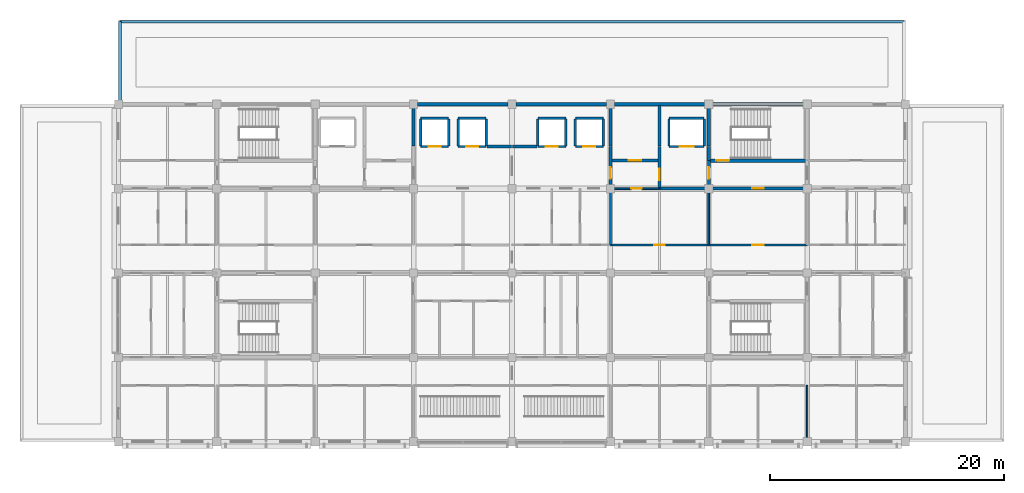
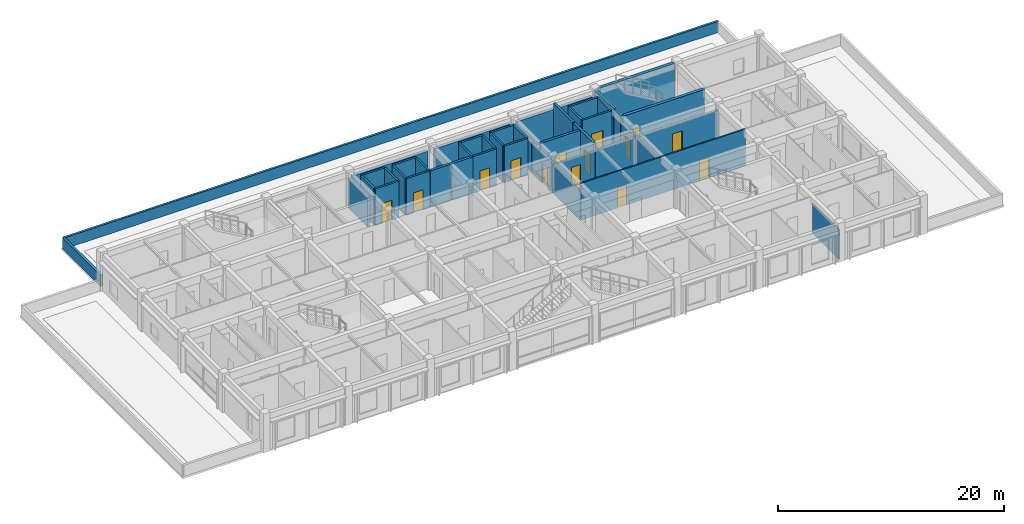
# One storey, part 14 of 19: 44 walls, 14 doors, 14 openings.
"""IFC4 building model written with IfcOpenShell, lengths in metres."""

from ifc_helpers import new_model, si_unit, direction, frame, frame_2d, origin, place, context, subcontext, project, spatial, rectangle, extrude, material, layer, layer_set, type_object, element, fill, save


model = new_model("IFC4")

# Units and contexts
model_context = context("Model", 3, precision=1e-05, world=origin(), true_north=direction((0.0, 1.0)))
body_context = subcontext(model_context, "Body", "Model", "MODEL_VIEW")
ifc_project = project(units=[si_unit("LENGTHUNIT", "METRE"), si_unit("AREAUNIT", "SQUARE_METRE"), si_unit("VOLUMEUNIT", "CUBIC_METRE"), si_unit("PLANEANGLEUNIT", "RADIAN"), si_unit("MASSUNIT", "GRAM", prefix="KILO")], contexts=[model_context])

# Site, building, storey
site_placement = place(None, origin())
site = spatial("IfcSite", under=ifc_project, at=site_placement, CompositionType="ELEMENT")
building_placement = place(site_placement, origin())
building = spatial("IfcBuilding", under=site, at=building_placement, Name="Chengyuan Square Courthouse", CompositionType="ELEMENT")
storey_placement = place(building_placement, frame((0.0, 0.0, 47.699951171875)))
storey = spatial("IfcBuildingStorey", under=building, at=storey_placement, Name="L11", CompositionType="ELEMENT", Elevation=47.699951171875)

# Walls
ifc_material_1 = material(Name="Concrete C40", Category="concrete")
ifc_layer_1 = layer(ifc_material_1, 0.320068359375)
ifc_layer_set_1 = layer_set([ifc_layer_1], Name="Concrete C40")
wall_type_1 = type_object("IfcWallType", Name="WL-EW3", PredefinedType="STANDARD", material=ifc_layer_set_1)
for number, where, z_axis, x_axis, name in (
    (1, (75.945068359375, 108.0, 0.0), (0.0, 0.0, 1.0), (1.0, 0.0, 0.0), "Exterior Wall WL-L11-E455"),
    (2, (84.344970703125, 108.0, 0.0), (0.0, 0.0, 1.0), (1.0, 0.0, 0.0), "Exterior Wall WL-L11-E456"),
    (3, (92.7451171875, 108.0, 0.0), (0.0, 0.0, 1.0), (1.0, 0.0, 0.0), "Exterior Wall WL-L11-E458"),
):
    element("IfcWall", number, at=place(storey_placement, frame(where, z_axis=z_axis, x_axis=x_axis)), inside=storey, type_object=wall_type_1, Name=name, PredefinedType="STANDARD", context=body_context, shape_type="SweptSolid", body=[
        extrude(rectangle(XDim=7.7099609375, YDim=0.320068359375, at=frame_2d((3.85498046875, 0.0))), origin(), (0.0, 0.0, 1.0), 3.31005859375),
    ])

# Wall, opening, door
ifc_layer_2 = layer(ifc_material_1, 0.25)
ifc_layer_set_2 = layer_set([ifc_layer_2], Name="Concrete C40")
wall_type_2 = type_object("IfcWallType", Name="WL-FW1", PredefinedType="STANDARD", material=ifc_layer_set_2)
wall_1_placement = place(storey_placement, frame((96.60009765625, 100.800048828125, 0.0), z_axis=(0.0, 0.0, 1.0), x_axis=(1.0, 0.0, 0.0)))
wall_1 = element("IfcWall", 4, at=wall_1_placement, inside=storey, type_object=wall_type_2, Name="Interior Wall WL-L11-I3541", PredefinedType="STANDARD", context=body_context, shape_type="SweptSolid", body=[
    extrude(rectangle(XDim=12.599853515625, YDim=0.25, at=frame_2d((6.2998046875, 0.0))), origin(), (0.0, 0.0, 1.0), 3.110107421875),
])
opening_1_placement = place(wall_1_placement, frame((7.89990234375, 0.0, 0.0)))
opening_1 = element("IfcOpeningElement", 5, at=opening_1_placement, cuts=wall_1, Name="Opening DR-2918", PredefinedType="OPENING", context=body_context, shape_type="SweptSolid", body=[
    extrude(rectangle(XDim=1.0, YDim=2.199951171875, at=frame_2d((0.5, 1.10009765625))), frame((0.0, 0.136962890625, 0.0), z_axis=(0.0, -1.0, 0.0), x_axis=(1.0, 0.0, 0.0)), (0.0, 0.0, 1.0), 0.27392578125),
])
ifc_material_2 = material(Name="Steel Q235B Fire Door", Category="steel")
door_type_1 = type_object("IfcDoorType", Name="DT-11", OperationType="NOTDEFINED", PredefinedType="DOOR", material=ifc_material_2)
door_1_placement = place(opening_1_placement, origin())
door_1 = element("IfcDoor", 6, at=door_1_placement, inside=storey, type_object=door_type_1, Name="Interior Door DR-2918", OperationType="SINGLE_SWING_LEFT", OverallHeight=2.199951171875, OverallWidth=1.0, PredefinedType="DOOR", context=body_context, shape_type="SweptSolid", body=[
    extrude(rectangle(XDim=1.0, YDim=2.199951171875, at=frame_2d((0.5, 1.10009765625))), frame((0.0, 0.02490234375, 0.0), z_axis=(0.0, -1.0, 0.0), x_axis=(1.0, 0.0, 0.0)), (0.0, 0.0, 1.0), 0.050048828125),
])
fill(opening_1, door_1)

wall_2_placement = place(storey_placement, frame((92.39990234375, 103.199951171875, 0.0), z_axis=(0.0, 0.0, 1.0), x_axis=(1.0, 0.0, 0.0)))
wall_2 = element("IfcWall", 7, at=wall_2_placement, inside=storey, type_object=wall_type_2, Name="Interior Wall WL-L11-I3546", PredefinedType="STANDARD", context=body_context, shape_type="SweptSolid", body=[
    extrude(rectangle(XDim=4.2001953125, YDim=0.25, at=frame_2d((2.10009765625, 0.0))), origin(), (0.0, 0.0, 1.0), 3.9599609375),
])
opening_2_placement = place(wall_2_placement, frame((1.550048828125, 0.0, 0.0)))
opening_2 = element("IfcOpeningElement", 8, at=opening_2_placement, cuts=wall_2, Name="Opening DR-2929", PredefinedType="OPENING", context=body_context, shape_type="SweptSolid", body=[
    extrude(rectangle(XDim=1.10009765625, YDim=2.199951171875, at=frame_2d((0.550048828125, 1.10009765625))), frame((0.0, 0.136962890625, 0.0), z_axis=(0.0, -1.0, 0.0), x_axis=(1.0, 0.0, 0.0)), (0.0, 0.0, 1.0), 0.27392578125),
])
door_type_2 = type_object("IfcDoorType", Name="DT-10", OperationType="NOTDEFINED", PredefinedType="DOOR", material=ifc_material_2)
door_2_placement = place(opening_2_placement, origin())
door_2 = element("IfcDoor", 9, at=door_2_placement, inside=storey, type_object=door_type_2, Name="Interior Door DR-2929", OperationType="SINGLE_SWING_RIGHT", OverallHeight=2.199951171875, OverallWidth=1.10009765625, PredefinedType="DOOR", context=body_context, shape_type="SweptSolid", body=[
    extrude(rectangle(XDim=1.10009765625, YDim=2.199951171875, at=frame_2d((0.550048828125, 1.10009765625))), frame((0.0, 0.02490234375, 0.0), z_axis=(0.0, -1.0, 0.0), x_axis=(1.0, 0.0, 0.0)), (0.0, 0.0, 1.0), 0.050048828125),
])
fill(opening_2, door_2)

# Walls
for number, where, z_axis, x_axis, name in (
    (10, (81.85009765625, 104.39990234375, 0.0), (0.0, 0.0, 1.0), (1.0, 0.0, 0.0), "Interior Wall WL-L11-I3552"),
    (11, (84.050048828125, 104.39990234375, 0.0), (0.0, 0.0, 1.0), (1.0, 0.0, 0.0), "Interior Wall WL-L11-I3553"),
):
    element("IfcWall", number, at=place(storey_placement, frame(where, z_axis=z_axis, x_axis=x_axis)), inside=storey, type_object=wall_type_2, Name=name, PredefinedType="STANDARD", context=body_context, shape_type="SweptSolid", body=[
        extrude(rectangle(XDim=2.099853515625, YDim=0.25, at=frame_2d((1.0498046875, 0.0))), origin(), (0.0, 0.0, 1.0), 3.9599609375),
    ])
wall_3_placement = place(storey_placement, frame((75.60009765625, 104.449951171875, 0.0), z_axis=(0.0, 0.0, 1.0), x_axis=(0.0, 1.0, 0.0)))
element("IfcWall", 12, at=wall_3_placement, inside=storey, type_object=wall_type_2, Name="Interior Wall WL-L11-I3592", PredefinedType="STANDARD", context=body_context, shape_type="SweptSolid", body=[
    extrude(rectangle(XDim=3.4599609375, YDim=0.25, at=frame_2d((1.72998046875, 0.0))), origin(), (0.0, 0.0, 1.0), 3.2099609375),
])

# Wall, opening, door
wall_4_placement = place(storey_placement, frame((92.39990234375, 100.800048828125, 0.0), z_axis=(0.0, 0.0, 1.0), x_axis=(0.0, 1.0, 0.0)))
wall_4 = element("IfcWall", 13, at=wall_4_placement, inside=storey, type_object=wall_type_2, Name="Interior Wall WL-L11-I3611", PredefinedType="STANDARD", context=body_context, shape_type="SweptSolid", body=[
    extrude(rectangle(XDim=3.599853515625, YDim=0.25, at=frame_2d((1.7998046875, 0.0))), origin(), (0.0, 0.0, 1.0), 3.2099609375),
])
opening_3_placement = place(wall_4_placement, frame((0.860107421875, 0.0, 0.0)))
opening_3 = element("IfcOpeningElement", 14, at=opening_3_placement, cuts=wall_4, Name="Opening DR-2931", PredefinedType="OPENING", context=body_context, shape_type="SweptSolid", body=[
    extrude(rectangle(XDim=0.949951171875, YDim=2.14990234375, at=frame_2d((0.47509765625, 1.074951171875))), frame((0.0, 0.136962890625, 0.0), z_axis=(0.0, -1.0, 0.0), x_axis=(1.0, 0.0, 0.0)), (0.0, 0.0, 1.0), 0.27392578125),
])
door_type_3 = type_object("IfcDoorType", Name="DT-12", OperationType="NOTDEFINED", PredefinedType="DOOR", material=ifc_material_2)
door_3_placement = place(opening_3_placement, origin())
door_3 = element("IfcDoor", 15, at=door_3_placement, inside=storey, type_object=door_type_3, Name="Interior Door DR-2931", OperationType="SINGLE_SWING_RIGHT", OverallHeight=2.14990234375, OverallWidth=0.949951171875, PredefinedType="DOOR", context=body_context, shape_type="SweptSolid", body=[
    extrude(rectangle(XDim=0.949951171875, YDim=2.14990234375, at=frame_2d((0.47509765625, 1.074951171875))), frame((0.0, 0.02490234375, 0.0), z_axis=(0.0, -1.0, 0.0), x_axis=(1.0, 0.0, 0.0)), (0.0, 0.0, 1.0), 0.050048828125),
])
fill(opening_3, door_3)

# Wall
wall_5_placement = place(storey_placement, frame((92.39990234375, 104.449951171875, 0.0), z_axis=(0.0, 0.0, 1.0), x_axis=(0.0, 1.0, 0.0)))
element("IfcWall", 16, at=wall_5_placement, inside=storey, type_object=wall_type_2, Name="Interior Wall WL-L11-I3612", PredefinedType="STANDARD", context=body_context, shape_type="SweptSolid", body=[
    extrude(rectangle(XDim=3.4599609375, YDim=0.25, at=frame_2d((1.72998046875, 0.0))), origin(), (0.0, 0.0, 1.0), 3.2099609375),
])

# Wall, opening, door
wall_6_placement = place(storey_placement, frame((96.60009765625, 100.800048828125, 0.0), z_axis=(0.0, 0.0, 1.0), x_axis=(0.0, 1.0, 0.0)))
wall_6 = element("IfcWall", 17, at=wall_6_placement, inside=storey, type_object=wall_type_2, Name="Interior Wall WL-L11-I3614", PredefinedType="STANDARD", context=body_context, shape_type="SweptSolid", body=[
    extrude(rectangle(XDim=3.599853515625, YDim=0.25, at=frame_2d((1.7998046875, 0.0))), origin(), (0.0, 0.0, 1.0), 3.9599609375),
])
opening_4_placement = place(wall_6_placement, frame((0.699951171875, 0.0, 0.0)))
opening_4 = element("IfcOpeningElement", 18, at=opening_4_placement, cuts=wall_6, Name="Opening DR-2930", PredefinedType="OPENING", context=body_context, shape_type="SweptSolid", body=[
    extrude(rectangle(XDim=1.0, YDim=2.199951171875, at=frame_2d((0.5, 1.10009765625))), frame((0.0, 0.136962890625, 0.0), z_axis=(0.0, -1.0, 0.0), x_axis=(1.0, 0.0, 0.0)), (0.0, 0.0, 1.0), 0.27392578125),
])
door_4_placement = place(opening_4_placement, origin())
door_4 = element("IfcDoor", 19, at=door_4_placement, inside=storey, type_object=door_type_1, Name="Interior Door DR-2930", OperationType="SINGLE_SWING_LEFT", OverallHeight=2.199951171875, OverallWidth=1.0, PredefinedType="DOOR", context=body_context, shape_type="SweptSolid", body=[
    extrude(rectangle(XDim=1.0, YDim=2.199951171875, at=frame_2d((0.5, 1.10009765625))), frame((0.0, 0.02490234375, 0.0), z_axis=(0.0, -1.0, 0.0), x_axis=(1.0, 0.0, 0.0)), (0.0, 0.0, 1.0), 0.050048828125),
])
fill(opening_4, door_4)

# Wall
wall_7_placement = place(storey_placement, frame((96.60009765625, 104.449951171875, 0.0), z_axis=(0.0, 0.0, 1.0), x_axis=(0.0, 1.0, 0.0)))
element("IfcWall", 20, at=wall_7_placement, inside=storey, type_object=wall_type_2, Name="Interior Wall WL-L11-I3615", PredefinedType="STANDARD", context=body_context, shape_type="SweptSolid", body=[
    extrude(rectangle(XDim=3.4599609375, YDim=0.25, at=frame_2d((1.72998046875, 0.0))), origin(), (0.0, 0.0, 1.0), 3.9599609375),
])

# Wall, opening, door
wall_8_placement = place(storey_placement, frame((100.800048828125, 100.800048828125, 0.0), z_axis=(0.0, 0.0, 1.0), x_axis=(0.0, 1.0, 0.0)))
wall_8 = element("IfcWall", 21, at=wall_8_placement, inside=storey, type_object=wall_type_2, Name="Interior Wall WL-L11-I3622", PredefinedType="STANDARD", context=body_context, shape_type="SweptSolid", body=[
    extrude(rectangle(XDim=2.39990234375, YDim=0.25, at=frame_2d((1.199951171875, 0.0))), origin(), (0.0, 0.0, 1.0), 3.2099609375),
])
opening_5_placement = place(wall_8_placement, frame((0.860107421875, 0.0, 0.0)))
opening_5 = element("IfcOpeningElement", 22, at=opening_5_placement, cuts=wall_8, Name="Opening DR-2916", PredefinedType="OPENING", context=body_context, shape_type="SweptSolid", body=[
    extrude(rectangle(XDim=0.949951171875, YDim=2.14990234375, at=frame_2d((0.47509765625, 1.074951171875))), frame((0.0, 0.136962890625, 0.0), z_axis=(0.0, -1.0, 0.0), x_axis=(1.0, 0.0, 0.0)), (0.0, 0.0, 1.0), 0.27392578125),
])
door_5_placement = place(opening_5_placement, origin())
door_5 = element("IfcDoor", 23, at=door_5_placement, inside=storey, type_object=door_type_3, Name="Interior Door DR-2916", OperationType="SINGLE_SWING_LEFT", OverallHeight=2.14990234375, OverallWidth=0.949951171875, PredefinedType="DOOR", context=body_context, shape_type="SweptSolid", body=[
    extrude(rectangle(XDim=0.949951171875, YDim=2.14990234375, at=frame_2d((0.47509765625, 1.074951171875))), frame((0.0, 0.02490234375, 0.0), z_axis=(0.0, -1.0, 0.0), x_axis=(1.0, 0.0, 0.0)), (0.0, 0.0, 1.0), 0.050048828125),
])
fill(opening_5, door_5)

# Walls
ifc_layer_3 = layer(ifc_material_1, 0.219970703125)
ifc_layer_set_3 = layer_set([ifc_layer_3], Name="Concrete C40")
wall_type_3 = type_object("IfcWallType", Name="WL-PR1", PredefinedType="PARAPET", material=ifc_layer_set_3)
wall_9_placement = place(storey_placement, frame((117.4599609375, 115.06005859375, 0.0), z_axis=(0.0, 0.0, 1.0), x_axis=(-1.0, 0.0, 0.0)))
element("IfcWall", 24, at=wall_9_placement, inside=storey, type_object=wall_type_3, Name="Roof Parapet Wall PAR-L11-035", PredefinedType="PARAPET", context=body_context, shape_type="SweptSolid", body=[
    extrude(rectangle(XDim=66.919921875, YDim=0.219970703125, at=frame_2d((33.4599609375, 0.0))), origin(), (0.0, 0.0, 1.0), 1.199951171875),
])
ifc_layer_4 = layer(ifc_material_1, 0.239990234375)
ifc_layer_set_4 = layer_set([ifc_layer_4], Name="Concrete C40")
wall_type_4 = type_object("IfcWallType", Name="WL-PR2", PredefinedType="PARAPET", material=ifc_layer_set_4)
wall_10_placement = place(storey_placement, frame((50.5400390625, 115.06005859375, 0.0), z_axis=(0.0, 0.0, 1.0), x_axis=(0.0, -1.0, 0.0)))
element("IfcWall", 25, at=wall_10_placement, inside=storey, type_object=wall_type_4, Name="Roof Parapet Wall PAR-L11-036", PredefinedType="PARAPET", context=body_context, shape_type="SweptSolid", body=[
    extrude(rectangle(XDim=6.760009765625, YDim=0.239990234375, at=frame_2d((3.3798828125, 0.0))), origin(), (0.0, 0.0, 1.0), 1.199951171875),
])

# Wall, openings, doors
ifc_material_3 = material(Name="Deliberation Room Sound-Insulated Partition")
ifc_layer_5 = layer(ifc_material_3, 0.14990234375)
ifc_layer_set_5 = layer_set([ifc_layer_5], Name="Deliberation Room Sound-Insulated Partition")
wall_type_5 = type_object("IfcWallType", Name="WL-PT3", PredefinedType="STANDARD", material=ifc_layer_set_5)
wall_11_placement = place(storey_placement, frame((92.39990234375, 96.0, 0.0), z_axis=(0.0, 0.0, 1.0), x_axis=(1.0, 0.0, 0.0)))
wall_11 = element("IfcWall", 26, at=wall_11_placement, inside=storey, type_object=wall_type_5, Name="Interior Wall WL-L11-I3534", PredefinedType="STANDARD", context=body_context, shape_type="SweptSolid", body=[
    extrude(rectangle(XDim=16.800048828125, YDim=0.14990234375, at=frame_2d((8.39990234375, 0.0))), origin(), (0.0, 0.0, 1.0), 3.9599609375),
])
opening_6_placement = place(wall_11_placement, frame((3.739990234375, 0.0, 0.0)))
opening_6 = element("IfcOpeningElement", 27, at=opening_6_placement, cuts=wall_11, Name="Opening DR-2966", PredefinedType="OPENING", context=body_context, shape_type="SweptSolid", body=[
    extrude(rectangle(XDim=0.919921875, YDim=2.14990234375, at=frame_2d((0.4599609375, 1.074951171875))), frame((0.0, 0.0869140625, 0.0), z_axis=(0.0, -1.0, 0.0), x_axis=(1.0, 0.0, 0.0)), (0.0, 0.0, 1.0), 0.173828125),
])
opening_7_placement = place(wall_11_placement, frame((12.1201171875, 0.0, 0.0)))
opening_7 = element("IfcOpeningElement", 28, at=opening_7_placement, cuts=wall_11, Name="Opening DR-2967", PredefinedType="OPENING", context=body_context, shape_type="SweptSolid", body=[
    extrude(rectangle(XDim=0.9599609375, YDim=2.199951171875, at=frame_2d((0.47998046875, 1.10009765625))), frame((0.0, 0.0869140625, 0.0), z_axis=(0.0, -1.0, 0.0), x_axis=(1.0, 0.0, 0.0)), (0.0, 0.0, 1.0), 0.173828125),
])
ifc_material_4 = material(Name="Acoustic Solid-Core Timber Door", Category="wood")
door_type_4 = type_object("IfcDoorType", Name="DT-29", OperationType="NOTDEFINED", PredefinedType="DOOR", material=ifc_material_4)
door_6_placement = place(opening_6_placement, origin())
door_6 = element("IfcDoor", 29, at=door_6_placement, inside=storey, type_object=door_type_4, Name="Interior Door DR-2966", OperationType="SINGLE_SWING_LEFT", OverallHeight=2.14990234375, OverallWidth=0.919921875, PredefinedType="DOOR", context=body_context, shape_type="SweptSolid", body=[
    extrude(rectangle(XDim=0.919921875, YDim=2.14990234375, at=frame_2d((0.4599609375, 1.074951171875))), frame((0.0, 0.02490234375, 0.0), z_axis=(0.0, -1.0, 0.0), x_axis=(1.0, 0.0, 0.0)), (0.0, 0.0, 1.0), 0.050048828125),
])
fill(opening_6, door_6)
door_type_5 = type_object("IfcDoorType", Name="DT-30", OperationType="NOTDEFINED", PredefinedType="DOOR", material=ifc_material_4)
door_7_placement = place(opening_7_placement, origin())
door_7 = element("IfcDoor", 30, at=door_7_placement, inside=storey, type_object=door_type_5, Name="Interior Door DR-2967", OperationType="SINGLE_SWING_RIGHT", OverallHeight=2.199951171875, OverallWidth=0.9599609375, PredefinedType="DOOR", context=body_context, shape_type="SweptSolid", body=[
    extrude(rectangle(XDim=0.9599609375, YDim=2.199951171875, at=frame_2d((0.47998046875, 1.10009765625))), frame((0.0, 0.02490234375, 0.0), z_axis=(0.0, -1.0, 0.0), x_axis=(1.0, 0.0, 0.0)), (0.0, 0.0, 1.0), 0.050048828125),
])
fill(opening_7, door_7)

# Wall, opening, door
wall_12_placement = place(storey_placement, frame((92.39990234375, 100.800048828125, 0.0), z_axis=(0.0, 0.0, 1.0), x_axis=(1.0, 0.0, 0.0)))
wall_12 = element("IfcWall", 31, at=wall_12_placement, inside=storey, type_object=wall_type_5, Name="Interior Wall WL-L11-I3540", PredefinedType="STANDARD", context=body_context, shape_type="SweptSolid", body=[
    extrude(rectangle(XDim=4.2001953125, YDim=0.14990234375, at=frame_2d((2.10009765625, 0.0))), origin(), (0.0, 0.0, 1.0), 3.110107421875),
])
opening_8_placement = place(wall_12_placement, frame((1.77490234375, 0.0, 0.0)))
opening_8 = element("IfcOpeningElement", 32, at=opening_8_placement, cuts=wall_12, Name="Opening DR-2932", PredefinedType="OPENING", context=body_context, shape_type="SweptSolid", body=[
    extrude(rectangle(XDim=0.919921875, YDim=2.14990234375, at=frame_2d((0.4599609375, 1.074951171875))), frame((0.0, 0.0869140625, 0.0), z_axis=(0.0, -1.0, 0.0), x_axis=(1.0, 0.0, 0.0)), (0.0, 0.0, 1.0), 0.173828125),
])
door_8_placement = place(opening_8_placement, origin())
door_8 = element("IfcDoor", 33, at=door_8_placement, inside=storey, type_object=door_type_4, Name="Interior Door DR-2932", OperationType="SINGLE_SWING_LEFT", OverallHeight=2.14990234375, OverallWidth=0.919921875, PredefinedType="DOOR", context=body_context, shape_type="SweptSolid", body=[
    extrude(rectangle(XDim=0.919921875, YDim=2.14990234375, at=frame_2d((0.4599609375, 1.074951171875))), frame((0.0, 0.02490234375, 0.0), z_axis=(0.0, -1.0, 0.0), x_axis=(1.0, 0.0, 0.0)), (0.0, 0.0, 1.0), 0.050048828125),
])
fill(opening_8, door_8)

# Walls
for number, where, z_axis, x_axis, name in (
    (34, (92.39990234375, 96.0, 0.0), (0.0, 0.0, 1.0), (0.0, 1.0, 0.0), "Interior Wall WL-L11-I3610"),
    (35, (100.800048828125, 96.0, 0.0), (0.0, 0.0, 1.0), (0.0, 1.0, 0.0), "Interior Wall WL-L11-I3621"),
):
    element("IfcWall", number, at=place(storey_placement, frame(where, z_axis=z_axis, x_axis=x_axis)), inside=storey, type_object=wall_type_5, Name=name, PredefinedType="STANDARD", context=body_context, shape_type="SweptSolid", body=[
        extrude(rectangle(XDim=4.800048828125, YDim=0.14990234375, at=frame_2d((2.39990234375, 0.0))), origin(), (0.0, 0.0, 1.0), 3.2099609375),
    ])
ifc_material_5 = material(Name="Judges Chambers Gypsum Stud Partition")
ifc_layer_6 = layer(ifc_material_5, 0.1201171875)
ifc_layer_set_6 = layer_set([ifc_layer_6], Name="Judges Chambers Gypsum Stud Partition")
wall_type_6 = type_object("IfcWallType", Name="WL-PT5", PredefinedType="STANDARD", material=ifc_layer_set_6)
wall_13_placement = place(storey_placement, frame((109.199951171875, 79.239990234375, 0.0), z_axis=(0.0, 0.0, 1.0), x_axis=(0.0, 1.0, 0.0)))
element("IfcWall", 36, at=wall_13_placement, inside=storey, type_object=wall_type_6, Name="Interior Wall WL-L11-I3626", PredefinedType="STANDARD", context=body_context, shape_type="SweptSolid", body=[
    extrude(rectangle(XDim=4.760009765625, YDim=0.1201171875, at=frame_2d((2.3798828125, 0.0))), origin(), (0.0, 0.0, 1.0), 3.2099609375),
])

# Wall, opening, door
ifc_material_6 = material(Name="Reinforced Masonry Shaft Enclosure", Category="masonry")
ifc_layer_7 = layer(ifc_material_6, 0.199951171875)
ifc_layer_set_7 = layer_set([ifc_layer_7], Name="Reinforced Masonry Shaft Enclosure")
wall_type_7 = type_object("IfcWallType", Name="WL-SH1", PredefinedType="STANDARD", material=ifc_layer_set_7)
wall_14_placement = place(storey_placement, frame((76.199951171875, 104.39990234375, 0.0), z_axis=(0.0, 0.0, 1.0), x_axis=(1.0, 0.0, 0.0)))
wall_14 = element("IfcWall", 37, at=wall_14_placement, inside=storey, type_object=wall_type_7, Name="Interior Wall WL-L11-I3550", PredefinedType="STANDARD", context=body_context, shape_type="SweptSolid", body=[
    extrude(rectangle(XDim=2.400146484375, YDim=0.199951171875, at=frame_2d((1.2001953125, 0.0))), origin(), (0.0, 0.0, 1.0), 3.9599609375),
])
opening_9_placement = place(wall_14_placement, frame((0.699951171875, 0.0, 0.0)))
opening_9 = element("IfcOpeningElement", 38, at=opening_9_placement, cuts=wall_14, Name="Opening LD-183", PredefinedType="OPENING", context=body_context, shape_type="SweptSolid", body=[
    extrude(rectangle(XDim=1.0, YDim=2.14990234375, at=frame_2d((0.5, 1.074951171875))), frame((0.0, 0.112060546875, 0.0), z_axis=(0.0, -1.0, 0.0), x_axis=(1.0, 0.0, 0.0)), (0.0, 0.0, 1.0), 0.223876953125),
])
ifc_material_7 = material(Name="Stainless Steel S30408 Lift Landing Door", Category="steel")
door_type_6 = type_object("IfcDoorType", Name="DT-07", OperationType="DOUBLE_DOOR_SLIDING", PredefinedType="DOOR", material=ifc_material_7)
door_9_placement = place(opening_9_placement, origin())
door_9 = element("IfcDoor", 39, at=door_9_placement, inside=storey, type_object=door_type_6, Name="Lift Landing Door LF-J1 L11", OperationType="DOUBLE_DOOR_SLIDING", OverallHeight=2.14990234375, OverallWidth=1.0, PredefinedType="DOOR", context=body_context, shape_type="SweptSolid", body=[
    extrude(rectangle(XDim=1.0, YDim=2.14990234375, at=frame_2d((0.5, 1.074951171875))), frame((0.0, 0.02490234375, 0.0), z_axis=(0.0, -1.0, 0.0), x_axis=(1.0, 0.0, 0.0)), (0.0, 0.0, 1.0), 0.050048828125),
])
fill(opening_9, door_9)

wall_15_placement = place(storey_placement, frame((79.39990234375, 104.39990234375, 0.0), z_axis=(0.0, 0.0, 1.0), x_axis=(1.0, 0.0, 0.0)))
wall_15 = element("IfcWall", 40, at=wall_15_placement, inside=storey, type_object=wall_type_7, Name="Interior Wall WL-L11-I3551", PredefinedType="STANDARD", context=body_context, shape_type="SweptSolid", body=[
    extrude(rectangle(XDim=2.400146484375, YDim=0.199951171875, at=frame_2d((1.2001953125, 0.0))), origin(), (0.0, 0.0, 1.0), 3.9599609375),
])
opening_10_placement = place(wall_15_placement, frame((0.699951171875, 0.0, 0.0)))
opening_10 = element("IfcOpeningElement", 41, at=opening_10_placement, cuts=wall_15, Name="Opening LD-184", PredefinedType="OPENING", context=body_context, shape_type="SweptSolid", body=[
    extrude(rectangle(XDim=1.0, YDim=2.14990234375, at=frame_2d((0.5, 1.074951171875))), frame((0.0, 0.112060546875, 0.0), z_axis=(0.0, -1.0, 0.0), x_axis=(1.0, 0.0, 0.0)), (0.0, 0.0, 1.0), 0.223876953125),
])
door_10_placement = place(opening_10_placement, origin())
door_10 = element("IfcDoor", 42, at=door_10_placement, inside=storey, type_object=door_type_6, Name="Lift Landing Door LF-J2 L11", OperationType="DOUBLE_DOOR_SLIDING", OverallHeight=2.14990234375, OverallWidth=1.0, PredefinedType="DOOR", context=body_context, shape_type="SweptSolid", body=[
    extrude(rectangle(XDim=1.0, YDim=2.14990234375, at=frame_2d((0.5, 1.074951171875))), frame((0.0, 0.02490234375, 0.0), z_axis=(0.0, -1.0, 0.0), x_axis=(1.0, 0.0, 0.0)), (0.0, 0.0, 1.0), 0.050048828125),
])
fill(opening_10, door_10)

wall_16_placement = place(storey_placement, frame((86.199951171875, 104.39990234375, 0.0), z_axis=(0.0, 0.0, 1.0), x_axis=(1.0, 0.0, 0.0)))
wall_16 = element("IfcWall", 43, at=wall_16_placement, inside=storey, type_object=wall_type_7, Name="Interior Wall WL-L11-I3554", PredefinedType="STANDARD", context=body_context, shape_type="SweptSolid", body=[
    extrude(rectangle(XDim=2.400146484375, YDim=0.199951171875, at=frame_2d((1.2001953125, 0.0))), origin(), (0.0, 0.0, 1.0), 3.9599609375),
])
opening_11_placement = place(wall_16_placement, frame((0.699951171875, 0.0, 0.0)))
opening_11 = element("IfcOpeningElement", 44, at=opening_11_placement, cuts=wall_16, Name="Opening LD-185", PredefinedType="OPENING", context=body_context, shape_type="SweptSolid", body=[
    extrude(rectangle(XDim=1.0, YDim=2.14990234375, at=frame_2d((0.5, 1.074951171875))), frame((0.0, 0.112060546875, 0.0), z_axis=(0.0, -1.0, 0.0), x_axis=(1.0, 0.0, 0.0)), (0.0, 0.0, 1.0), 0.223876953125),
])
door_11_placement = place(opening_11_placement, origin())
door_11 = element("IfcDoor", 45, at=door_11_placement, inside=storey, type_object=door_type_6, Name="Lift Landing Door LF-J3 L11", OperationType="DOUBLE_DOOR_SLIDING", OverallHeight=2.14990234375, OverallWidth=1.0, PredefinedType="DOOR", context=body_context, shape_type="SweptSolid", body=[
    extrude(rectangle(XDim=1.0, YDim=2.14990234375, at=frame_2d((0.5, 1.074951171875))), frame((0.0, 0.02490234375, 0.0), z_axis=(0.0, -1.0, 0.0), x_axis=(1.0, 0.0, 0.0)), (0.0, 0.0, 1.0), 0.050048828125),
])
fill(opening_11, door_11)

wall_17_placement = place(storey_placement, frame((89.39990234375, 104.39990234375, 0.0), z_axis=(0.0, 0.0, 1.0), x_axis=(1.0, 0.0, 0.0)))
wall_17 = element("IfcWall", 46, at=wall_17_placement, inside=storey, type_object=wall_type_7, Name="Interior Wall WL-L11-I3555", PredefinedType="STANDARD", context=body_context, shape_type="SweptSolid", body=[
    extrude(rectangle(XDim=2.400146484375, YDim=0.199951171875, at=frame_2d((1.2001953125, 0.0))), origin(), (0.0, 0.0, 1.0), 3.9599609375),
])
opening_12_placement = place(wall_17_placement, frame((0.699951171875, 0.0, 0.0)))
opening_12 = element("IfcOpeningElement", 47, at=opening_12_placement, cuts=wall_17, Name="Opening LD-186", PredefinedType="OPENING", context=body_context, shape_type="SweptSolid", body=[
    extrude(rectangle(XDim=1.0, YDim=2.14990234375, at=frame_2d((0.5, 1.074951171875))), frame((0.0, 0.112060546875, 0.0), z_axis=(0.0, -1.0, 0.0), x_axis=(1.0, 0.0, 0.0)), (0.0, 0.0, 1.0), 0.223876953125),
])
door_12_placement = place(opening_12_placement, origin())
door_12 = element("IfcDoor", 48, at=door_12_placement, inside=storey, type_object=door_type_6, Name="Lift Landing Door LF-J4 L11", OperationType="DOUBLE_DOOR_SLIDING", OverallHeight=2.14990234375, OverallWidth=1.0, PredefinedType="DOOR", context=body_context, shape_type="SweptSolid", body=[
    extrude(rectangle(XDim=1.0, YDim=2.14990234375, at=frame_2d((0.5, 1.074951171875))), frame((0.0, 0.02490234375, 0.0), z_axis=(0.0, -1.0, 0.0), x_axis=(1.0, 0.0, 0.0)), (0.0, 0.0, 1.0), 0.050048828125),
])
fill(opening_12, door_12)

wall_18_placement = place(storey_placement, frame((97.39990234375, 104.39990234375, 0.0), z_axis=(0.0, 0.0, 1.0), x_axis=(1.0, 0.0, 0.0)))
wall_18 = element("IfcWall", 49, at=wall_18_placement, inside=storey, type_object=wall_type_7, Name="Interior Wall WL-L11-I3556", PredefinedType="STANDARD", context=body_context, shape_type="SweptSolid", body=[
    extrude(rectangle(XDim=3.0, YDim=0.199951171875, at=frame_2d((1.5, 0.0))), origin(), (0.0, 0.0, 1.0), 3.9599609375),
])
opening_13_placement = place(wall_18_placement, frame((0.89990234375, 0.0, 0.0)))
opening_13 = element("IfcOpeningElement", 50, at=opening_13_placement, cuts=wall_18, Name="Opening LD-182", PredefinedType="OPENING", context=body_context, shape_type="SweptSolid", body=[
    extrude(rectangle(XDim=1.199951171875, YDim=2.14990234375, at=frame_2d((0.60009765625, 1.074951171875))), frame((0.0, 0.112060546875, 0.0), z_axis=(0.0, -1.0, 0.0), x_axis=(1.0, 0.0, 0.0)), (0.0, 0.0, 1.0), 0.223876953125),
])
door_type_7 = type_object("IfcDoorType", Name="DT-05", OperationType="DOUBLE_DOOR_SLIDING", PredefinedType="DOOR", material=ifc_material_7)
door_13_placement = place(opening_13_placement, origin())
door_13 = element("IfcDoor", 51, at=door_13_placement, inside=storey, type_object=door_type_7, Name="Lift Landing Door LF-F2 L11", OperationType="DOUBLE_DOOR_SLIDING", OverallHeight=2.14990234375, OverallWidth=1.199951171875, PredefinedType="DOOR", context=body_context, shape_type="SweptSolid", body=[
    extrude(rectangle(XDim=1.199951171875, YDim=2.14990234375, at=frame_2d((0.60009765625, 1.074951171875))), frame((0.0, 0.02490234375, 0.0), z_axis=(0.0, -1.0, 0.0), x_axis=(1.0, 0.0, 0.0)), (0.0, 0.0, 1.0), 0.050048828125),
])
fill(opening_13, door_13)

# Walls
for number, where, z_axis, x_axis, name in (
    (52, (76.199951171875, 106.800048828125, 0.0), (0.0, 0.0, 1.0), (1.0, 0.0, 0.0), "Interior Wall WL-L11-I3558"),
    (53, (79.39990234375, 106.800048828125, 0.0), (0.0, 0.0, 1.0), (1.0, 0.0, 0.0), "Interior Wall WL-L11-I3559"),
    (54, (86.199951171875, 106.800048828125, 0.0), (0.0, 0.0, 1.0), (1.0, 0.0, 0.0), "Interior Wall WL-L11-I3560"),
    (55, (89.39990234375, 106.800048828125, 0.0), (0.0, 0.0, 1.0), (1.0, 0.0, 0.0), "Interior Wall WL-L11-I3561"),
):
    element("IfcWall", number, at=place(storey_placement, frame(where, z_axis=z_axis, x_axis=x_axis)), inside=storey, type_object=wall_type_7, Name=name, PredefinedType="STANDARD", context=body_context, shape_type="SweptSolid", body=[
        extrude(rectangle(XDim=2.400146484375, YDim=0.199951171875, at=frame_2d((1.2001953125, 0.0))), origin(), (0.0, 0.0, 1.0), 3.9599609375),
    ])
wall_19_placement = place(storey_placement, frame((97.39990234375, 106.800048828125, 0.0), z_axis=(0.0, 0.0, 1.0), x_axis=(1.0, 0.0, 0.0)))
element("IfcWall", 56, at=wall_19_placement, inside=storey, type_object=wall_type_7, Name="Interior Wall WL-L11-I3562", PredefinedType="STANDARD", context=body_context, shape_type="SweptSolid", body=[
    extrude(rectangle(XDim=3.0, YDim=0.199951171875, at=frame_2d((1.5, 0.0))), origin(), (0.0, 0.0, 1.0), 3.9599609375),
])
for number, where, z_axis, x_axis, name in (
    (57, (76.199951171875, 104.449951171875, 0.0), (0.0, 0.0, 1.0), (0.0, 1.0, 0.0), "Interior Wall WL-L11-I3593"),
    (58, (78.60009765625, 104.449951171875, 0.0), (0.0, 0.0, 1.0), (0.0, 1.0, 0.0), "Interior Wall WL-L11-I3595"),
    (59, (79.39990234375, 104.449951171875, 0.0), (0.0, 0.0, 1.0), (0.0, 1.0, 0.0), "Interior Wall WL-L11-I3596"),
    (60, (81.800048828125, 104.449951171875, 0.0), (0.0, 0.0, 1.0), (0.0, 1.0, 0.0), "Interior Wall WL-L11-I3598"),
    (61, (86.199951171875, 104.449951171875, 0.0), (0.0, 0.0, 1.0), (0.0, 1.0, 0.0), "Interior Wall WL-L11-I3600"),
    (62, (88.60009765625, 104.449951171875, 0.0), (0.0, 0.0, 1.0), (0.0, 1.0, 0.0), "Interior Wall WL-L11-I3603"),
    (63, (89.39990234375, 104.449951171875, 0.0), (0.0, 0.0, 1.0), (0.0, 1.0, 0.0), "Interior Wall WL-L11-I3604"),
    (64, (91.800048828125, 104.449951171875, 0.0), (0.0, 0.0, 1.0), (0.0, 1.0, 0.0), "Interior Wall WL-L11-I3607"),
    (65, (97.39990234375, 104.449951171875, 0.0), (0.0, 0.0, 1.0), (0.0, 1.0, 0.0), "Interior Wall WL-L11-I3616"),
    (66, (100.39990234375, 104.449951171875, 0.0), (0.0, 0.0, 1.0), (0.0, 1.0, 0.0), "Interior Wall WL-L11-I3617"),
):
    element("IfcWall", number, at=place(storey_placement, frame(where, z_axis=z_axis, x_axis=x_axis)), inside=storey, type_object=wall_type_7, Name=name, PredefinedType="STANDARD", context=body_context, shape_type="SweptSolid", body=[
        extrude(rectangle(XDim=2.300048828125, YDim=0.199951171875, at=frame_2d((1.14990234375, 0.0))), origin(), (0.0, 0.0, 1.0), 3.9599609375),
    ])
ifc_layer_8 = layer(ifc_material_1, 0.300048828125)
ifc_layer_set_8 = layer_set([ifc_layer_8], Name="Concrete C40")
wall_type_8 = type_object("IfcWallType", Name="WL-SW2", PredefinedType="SHEAR", material=ifc_layer_set_8)
wall_20_placement = place(storey_placement, frame((101.14501953125, 108.0, 0.0), z_axis=(0.0, 0.0, 1.0), x_axis=(1.0, 0.0, 0.0)))
element("IfcWall", 67, at=wall_20_placement, inside=storey, type_object=wall_type_8, Name="Exterior Wall WL-L11-E460", PredefinedType="SHEAR", context=body_context, shape_type="SweptSolid", body=[
    extrude(rectangle(XDim=7.7099609375, YDim=0.300048828125, at=frame_2d((3.85498046875, 0.0))), origin(), (0.0, 0.0, 1.0), 3.9599609375),
])

# Wall, opening, door
wall_21_placement = place(storey_placement, frame((100.800048828125, 103.199951171875, 0.0), z_axis=(0.0, 0.0, 1.0), x_axis=(1.0, 0.0, 0.0)))
wall_21 = element("IfcWall", 68, at=wall_21_placement, inside=storey, type_object=wall_type_8, Name="Interior Wall WL-L11-I3547", PredefinedType="SHEAR", context=body_context, shape_type="SweptSolid", body=[
    extrude(rectangle(XDim=8.39990234375, YDim=0.300048828125, at=frame_2d((4.199951171875, 0.0))), origin(), (0.0, 0.0, 1.0), 3.9599609375),
])
opening_14_placement = place(wall_21_placement, frame((0.64990234375, 0.0, 0.0)))
opening_14 = element("IfcOpeningElement", 69, at=opening_14_placement, cuts=wall_21, Name="Opening DR-2910", PredefinedType="OPENING", context=body_context, shape_type="SweptSolid", body=[
    extrude(rectangle(XDim=1.10009765625, YDim=2.199951171875, at=frame_2d((0.550048828125, 1.10009765625))), frame((0.0, 0.162109375, 0.0), z_axis=(0.0, -1.0, 0.0), x_axis=(1.0, 0.0, 0.0)), (0.0, 0.0, 1.0), 0.323974609375),
])
door_14_placement = place(opening_14_placement, origin())
door_14 = element("IfcDoor", 70, at=door_14_placement, inside=storey, type_object=door_type_2, Name="Smoke-Proof Stairwell Fire Door ST-2 DR-2910", OperationType="SINGLE_SWING_LEFT", OverallHeight=2.199951171875, OverallWidth=1.10009765625, PredefinedType="DOOR", context=body_context, shape_type="SweptSolid", body=[
    extrude(rectangle(XDim=1.10009765625, YDim=2.199951171875, at=frame_2d((0.550048828125, 1.10009765625))), frame((0.0, 0.02490234375, 0.0), z_axis=(0.0, -1.0, 0.0), x_axis=(1.0, 0.0, 0.0)), (0.0, 0.0, 1.0), 0.050048828125),
])
fill(opening_14, door_14)

# Walls
wall_22_placement = place(storey_placement, frame((100.800048828125, 103.199951171875, 0.0), z_axis=(0.0, 0.0, 1.0), x_axis=(0.0, 1.0, 0.0)))
element("IfcWall", 71, at=wall_22_placement, inside=storey, type_object=wall_type_8, Name="Interior Wall WL-L11-I3623", PredefinedType="SHEAR", context=body_context, shape_type="SweptSolid", body=[
    extrude(rectangle(XDim=1.199951171875, YDim=0.300048828125, at=frame_2d((0.60009765625, 0.0))), origin(), (0.0, 0.0, 1.0), 3.9599609375),
])
wall_23_placement = place(storey_placement, frame((100.800048828125, 104.449951171875, 0.0), z_axis=(0.0, 0.0, 1.0), x_axis=(0.0, 1.0, 0.0)))
element("IfcWall", 72, at=wall_23_placement, inside=storey, type_object=wall_type_8, Name="Interior Wall WL-L11-I3624", PredefinedType="SHEAR", context=body_context, shape_type="SweptSolid", body=[
    extrude(rectangle(XDim=3.4599609375, YDim=0.300048828125, at=frame_2d((1.72998046875, 0.0))), origin(), (0.0, 0.0, 1.0), 3.9599609375),
])

save(model, "model.ifc")
